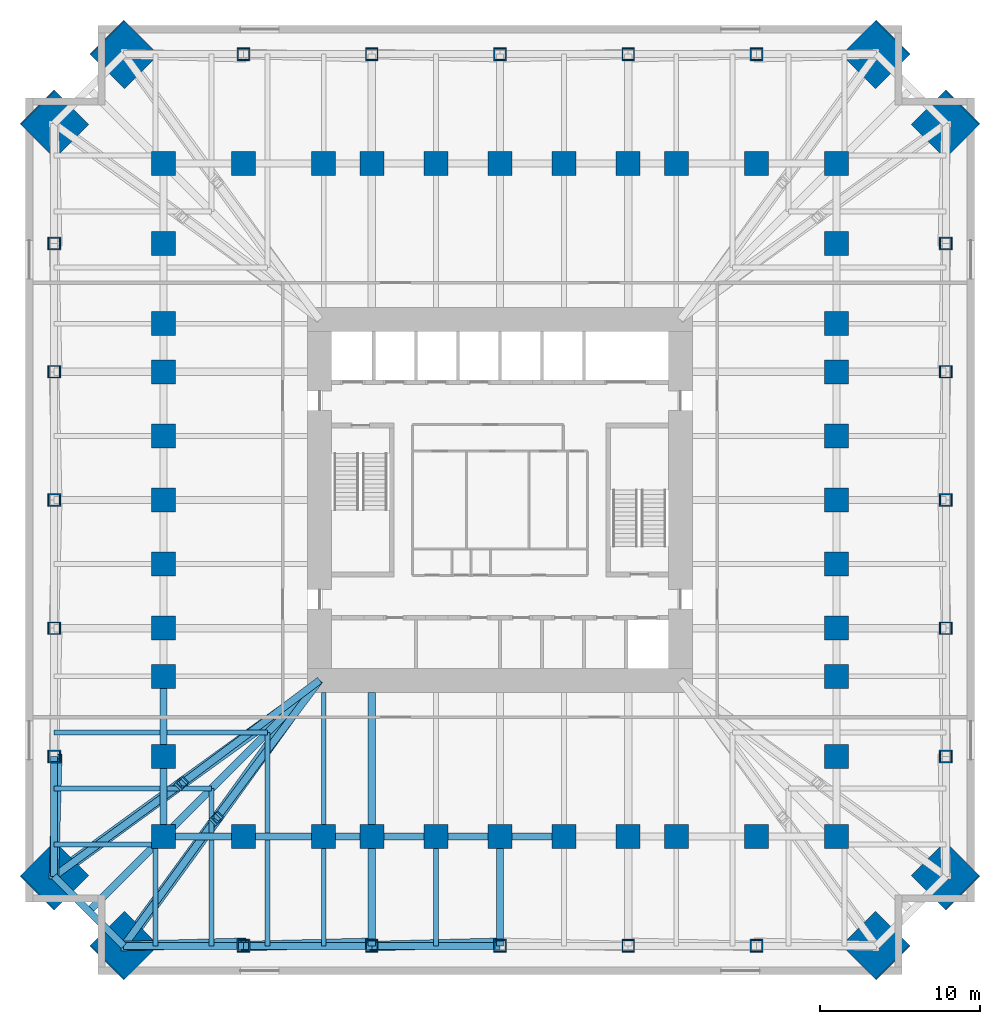
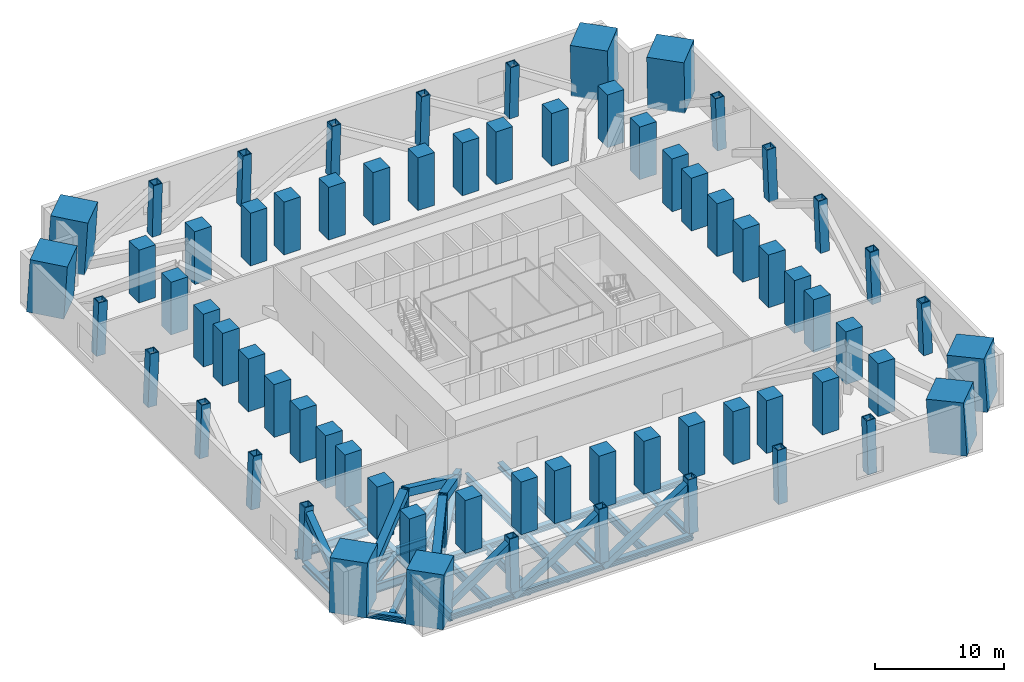
# One storey, part 1 of 9: 68 columns, 27 beams, 18 members.
"""IFC4 building model written with IfcOpenShell, lengths in metres."""

from ifc_helpers import new_model, si_unit, direction, frame, origin, origin_2d, place, context, subcontext, project, spatial, rectangle, hollow_rectangle, i_section, extrude, material, material_profile, profile_set, type_object, element, save


model = new_model("IFC4")

# Units and contexts
model_context = context("Model", 3, precision=1e-05, world=origin(), true_north=direction((0.0, 1.0)))
body_context = subcontext(model_context, "Body", "Model", "MODEL_VIEW")
ifc_project = project(units=[si_unit("LENGTHUNIT", "METRE"), si_unit("AREAUNIT", "SQUARE_METRE"), si_unit("VOLUMEUNIT", "CUBIC_METRE"), si_unit("PLANEANGLEUNIT", "RADIAN"), si_unit("MASSUNIT", "GRAM", prefix="KILO")], contexts=[model_context])

# Site, building, storey
site_placement = place(None, origin())
site = spatial("IfcSite", under=ifc_project, at=site_placement, CompositionType="ELEMENT")
building_placement = place(site_placement, origin())
building = spatial("IfcBuilding", under=site, at=building_placement, Name="Peilmerk Tower", CompositionType="ELEMENT")
storey_placement = place(building_placement, frame((0.0, 0.0, 76.0)))
storey = spatial("IfcBuildingStorey", under=building, at=storey_placement, Name="L14", CompositionType="ELEMENT", Elevation=76.0)

# Columns
ifc_material_1 = material(Name="Concrete C90/105", Category="concrete")
ifc_material_profile_1 = material_profile(ifc_material_1, rectangle(XDim=3.0, YDim=3.0, at=origin_2d()), Name="RC 3000x3000")
ifc_profile_set_1 = profile_set([ifc_material_profile_1], Name="Concrete C90/105")
column_type_1 = type_object("IfcColumnType", Name="MC1 3000x3000 encased mega column", PredefinedType="COLUMN", material=ifc_profile_set_1)
for number, where, z_axis, x_axis, name in (
    (1, (23.482177734375, 27.832275390625, 0.0), (-0.04021791389, -0.040266662877, 0.998379244207), (0.707534941396, -0.706678361564, 0.0), "Mega column MC1 NE_N L14"),
    (2, (27.832275390625, 23.482177734375, 0.0), (-0.040266662877, -0.04021791389, 0.998379244207), (0.706678361564, -0.707534941396, 0.0), "Mega column MC1 NE_E L14"),
    (3, (27.832275390625, -23.482177734375, 0.0), (-0.040266662877, 0.04021791389, 0.998379244207), (-0.706678361564, -0.707534941396, 0.0), "Mega column MC1 SE_E L14"),
    (4, (23.482177734375, -27.832275390625, 0.0), (-0.04021791389, 0.040266662877, 0.998379244207), (-0.707534941396, -0.706678361564, 0.0), "Mega column MC1 SE_S L14"),
    (5, (-23.482177734375, -27.832275390625, 0.0), (0.04021791389, 0.040266662877, 0.998379244207), (-0.707534941396, 0.706678361564, 0.0), "Mega column MC1 SW_S L14"),
    (6, (-27.832275390625, -23.482177734375, 0.0), (0.040266662877, 0.04021791389, 0.998379244207), (-0.706678361564, 0.707534941396, 0.0), "Mega column MC1 SW_W L14"),
    (7, (-27.832275390625, 23.482177734375, 0.0), (0.040266662877, -0.04021791389, 0.998379244207), (0.706678361564, 0.707534941396, 0.0), "Mega column MC1 NW_W L14"),
    (8, (-23.482177734375, 27.832275390625, 0.0), (0.04021791389, -0.040266662877, 0.998379244207), (0.707534941396, 0.706678361564, 0.0), "Mega column MC1 NW_N L14"),
):
    element("IfcColumn", number, at=place(storey_placement, frame(where, z_axis=z_axis, x_axis=x_axis)), inside=storey, type_object=column_type_1, Name=name, PredefinedType="COLUMN", context=body_context, shape_type="SweptSolid", body=[
        extrude(rectangle(XDim=3.0, YDim=3.0, at=origin_2d()), origin(), (0.0, 0.0, 1.0), 5.008056640625),
    ])
ifc_material_profile_2 = material_profile(ifc_material_1, rectangle(XDim=1.5, YDim=1.5, at=origin_2d()), Name="RC 1500x1500")
ifc_profile_set_2 = profile_set([ifc_material_profile_2], Name="Concrete C90/105")
column_type_2 = type_object("IfcColumnType", Name="SC4 1500x1500 encased interior column", PredefinedType="COLUMN", material=ifc_profile_set_2)
for number, where, z_axis, x_axis, name in (
    (9, (0.0, 21.0, 0.0), (0.0, 0.0, 1.0), (1.0, 0.0, 0.0), "Interior column N+0 L14"),
    (10, (4.0, 21.0, 0.0), (0.0, 0.0, 1.0), (1.0, 0.0, 0.0), "Interior column N-4 L14"),
    (11, (-4.0, 21.0, 0.0), (0.0, 0.0, 1.0), (1.0, 0.0, 0.0), "Interior column N+4 L14"),
    (12, (8.0, 21.0, 0.0), (0.0, 0.0, 1.0), (1.0, 0.0, 0.0), "Interior column N-8 L14"),
    (13, (-8.0, 21.0, 0.0), (0.0, 0.0, 1.0), (1.0, 0.0, 0.0), "Interior column N+8 L14"),
    (14, (11.0, 21.0, 0.0), (0.0, 0.0, 1.0), (1.0, 0.0, 0.0), "Interior column N-11 L14"),
    (15, (-11.0, 21.0, 0.0), (0.0, 0.0, 1.0), (1.0, 0.0, 0.0), "Interior column N+11 L14"),
    (16, (16.0, 21.0, 0.0), (0.0, 0.0, 1.0), (1.0, 0.0, 0.0), "Interior column N-16 L14"),
    (17, (-16.0, 21.0, 0.0), (0.0, 0.0, 1.0), (1.0, 0.0, 0.0), "Interior column N+16 L14"),
    (18, (21.0, 0.0, 0.0), (0.0, 0.0, 1.0), (1.0, 0.0, 0.0), "Interior column E+0 L14"),
    (19, (21.0, -4.0, 0.0), (0.0, 0.0, 1.0), (1.0, 0.0, 0.0), "Interior column E-4 L14"),
    (20, (21.0, 4.0, 0.0), (0.0, 0.0, 1.0), (1.0, 0.0, 0.0), "Interior column E+4 L14"),
    (21, (21.0, -8.0, 0.0), (0.0, 0.0, 1.0), (1.0, 0.0, 0.0), "Interior column E-8 L14"),
    (22, (21.0, 8.0, 0.0), (0.0, 0.0, 1.0), (1.0, 0.0, 0.0), "Interior column E+8 L14"),
    (23, (21.0, -11.0, 0.0), (0.0, 0.0, 1.0), (1.0, 0.0, 0.0), "Interior column E-11 L14"),
    (24, (21.0, 11.0, 0.0), (0.0, 0.0, 1.0), (1.0, 0.0, 0.0), "Interior column E+11 L14"),
    (25, (21.0, -16.0, 0.0), (0.0, 0.0, 1.0), (1.0, 0.0, 0.0), "Interior column E-16 L14"),
    (26, (21.0, 16.0, 0.0), (0.0, 0.0, 1.0), (1.0, 0.0, 0.0), "Interior column E+16 L14"),
    (27, (0.0, -21.0, 0.0), (0.0, 0.0, 1.0), (1.0, 0.0, 0.0), "Interior column S+0 L14"),
    (28, (-4.0, -21.0, 0.0), (0.0, 0.0, 1.0), (1.0, 0.0, 0.0), "Interior column S-4 L14"),
    (29, (4.0, -21.0, 0.0), (0.0, 0.0, 1.0), (1.0, 0.0, 0.0), "Interior column S+4 L14"),
    (30, (-8.0, -21.0, 0.0), (0.0, 0.0, 1.0), (1.0, 0.0, 0.0), "Interior column S-8 L14"),
    (31, (8.0, -21.0, 0.0), (0.0, 0.0, 1.0), (1.0, 0.0, 0.0), "Interior column S+8 L14"),
    (32, (-11.0, -21.0, 0.0), (0.0, 0.0, 1.0), (1.0, 0.0, 0.0), "Interior column S-11 L14"),
    (33, (11.0, -21.0, 0.0), (0.0, 0.0, 1.0), (1.0, 0.0, 0.0), "Interior column S+11 L14"),
    (34, (-16.0, -21.0, 0.0), (0.0, 0.0, 1.0), (1.0, 0.0, 0.0), "Interior column S-16 L14"),
    (35, (16.0, -21.0, 0.0), (0.0, 0.0, 1.0), (1.0, 0.0, 0.0), "Interior column S+16 L14"),
    (36, (-21.0, 0.0, 0.0), (0.0, 0.0, 1.0), (1.0, 0.0, 0.0), "Interior column W+0 L14"),
    (37, (-21.0, 4.0, 0.0), (0.0, 0.0, 1.0), (1.0, 0.0, 0.0), "Interior column W-4 L14"),
    (38, (-21.0, -4.0, 0.0), (0.0, 0.0, 1.0), (1.0, 0.0, 0.0), "Interior column W+4 L14"),
    (39, (-21.0, 8.0, 0.0), (0.0, 0.0, 1.0), (1.0, 0.0, 0.0), "Interior column W-8 L14"),
    (40, (-21.0, -8.0, 0.0), (0.0, 0.0, 1.0), (1.0, 0.0, 0.0), "Interior column W+8 L14"),
    (41, (-21.0, 11.0, 0.0), (0.0, 0.0, 1.0), (1.0, 0.0, 0.0), "Interior column W-11 L14"),
    (42, (-21.0, -11.0, 0.0), (0.0, 0.0, 1.0), (1.0, 0.0, 0.0), "Interior column W+11 L14"),
    (43, (-21.0, 16.0, 0.0), (0.0, 0.0, 1.0), (1.0, 0.0, 0.0), "Interior column W-16 L14"),
    (44, (-21.0, -16.0, 0.0), (0.0, 0.0, 1.0), (1.0, 0.0, 0.0), "Interior column W+16 L14"),
    (45, (21.0, 21.0, 0.0), (0.0, 0.0, 1.0), (1.0, 0.0, 0.0), "Interior column NE L14"),
    (46, (21.0, -21.0, 0.0), (0.0, 0.0, 1.0), (1.0, 0.0, 0.0), "Interior column SE L14"),
    (47, (-21.0, -21.0, 0.0), (0.0, 0.0, 1.0), (1.0, 0.0, 0.0), "Interior column SW L14"),
    (48, (-21.0, 21.0, 0.0), (0.0, 0.0, 1.0), (1.0, 0.0, 0.0), "Interior column NW L14"),
):
    element("IfcColumn", number, at=place(storey_placement, frame(where, z_axis=z_axis, x_axis=x_axis)), inside=storey, type_object=column_type_2, Name=name, PredefinedType="COLUMN", context=body_context, shape_type="SweptSolid", body=[
        extrude(rectangle(XDim=1.5, YDim=1.5, at=origin_2d()), origin(), (0.0, 0.0, 1.0), 5.0),
    ])
ifc_material_2 = material(Name="Steel S460", Category="steel")
ifc_material_profile_3 = material_profile(ifc_material_2, hollow_rectangle(XDim=0.800048828125, YDim=0.800048828125, WallThickness=0.080078125, at=origin_2d()), Name="BOX 800x800x80")
ifc_profile_set_3 = profile_set([ifc_material_profile_3], Name="Steel S460")
column_type_3 = type_object("IfcColumnType", Name="SC8 BOX 800x800x80 belt truss vertical", PredefinedType="COLUMN", material=ifc_profile_set_3)
for number, where, z_axis, x_axis, name in (
    (49, (16.0, 27.832275390625, 0.0), (0.0, -0.040299267708, 0.999187654559), (1.0, 0.0, 0.0), "Belt truss vertical T1 N"),
    (50, (8.0, 27.832275390625, 0.0), (0.0, -0.040299267708, 0.999187654559), (1.0, 0.0, 0.0), "Belt truss vertical T1 N"),
    (51, (0.0, 27.832275390625, 0.0), (0.0, -0.040299267708, 0.999187654559), (1.0, 0.0, 0.0), "Belt truss vertical T1 N"),
    (52, (-8.0, 27.832275390625, 0.0), (0.0, -0.040299267708, 0.999187654559), (1.0, 0.0, 0.0), "Belt truss vertical T1 N"),
    (53, (-16.0, 27.832275390625, 0.0), (0.0, -0.040299267708, 0.999187654559), (1.0, 0.0, 0.0), "Belt truss vertical T1 N"),
    (54, (27.832275390625, -16.0, 0.0), (-0.040299267708, 0.0, 0.999187654559), (0.0, -1.0, 0.0), "Belt truss vertical T1 E"),
    (55, (27.832275390625, -8.0, 0.0), (-0.040299267708, 0.0, 0.999187654559), (0.0, -1.0, 0.0), "Belt truss vertical T1 E"),
    (56, (27.832275390625, 0.0, 0.0), (-0.040299267708, 0.0, 0.999187654559), (0.0, -1.0, 0.0), "Belt truss vertical T1 E"),
    (57, (27.832275390625, 8.0, 0.0), (-0.040299267708, 0.0, 0.999187654559), (0.0, -1.0, 0.0), "Belt truss vertical T1 E"),
    (58, (27.832275390625, 16.0, 0.0), (-0.040299267708, 0.0, 0.999187654559), (0.0, -1.0, 0.0), "Belt truss vertical T1 E"),
    (59, (-16.0, -27.832275390625, 0.0), (0.0, 0.040299267708, 0.999187654559), (-1.0, 0.0, 0.0), "Belt truss vertical T1 S"),
    (60, (-8.0, -27.832275390625, 0.0), (0.0, 0.040299267708, 0.999187654559), (-1.0, 0.0, 0.0), "Belt truss vertical T1 S"),
    (61, (0.0, -27.832275390625, 0.0), (0.0, 0.040299267708, 0.999187654559), (-1.0, 0.0, 0.0), "Belt truss vertical T1 S"),
    (62, (8.0, -27.832275390625, 0.0), (0.0, 0.040299267708, 0.999187654559), (-1.0, 0.0, 0.0), "Belt truss vertical T1 S"),
    (63, (16.0, -27.832275390625, 0.0), (0.0, 0.040299267708, 0.999187654559), (-1.0, 0.0, 0.0), "Belt truss vertical T1 S"),
    (64, (-27.832275390625, 16.0, 0.0), (0.040299267708, 0.0, 0.999187654559), (0.0, 1.0, 0.0), "Belt truss vertical T1 W"),
    (65, (-27.832275390625, 8.0, 0.0), (0.040299267708, 0.0, 0.999187654559), (0.0, 1.0, 0.0), "Belt truss vertical T1 W"),
    (66, (-27.832275390625, 0.0, 0.0), (0.040299267708, 0.0, 0.999187654559), (0.0, 1.0, 0.0), "Belt truss vertical T1 W"),
    (67, (-27.832275390625, -8.0, 0.0), (0.040299267708, 0.0, 0.999187654559), (0.0, 1.0, 0.0), "Belt truss vertical T1 W"),
    (68, (-27.832275390625, -16.0, 0.0), (0.040299267708, 0.0, 0.999187654559), (0.0, 1.0, 0.0), "Belt truss vertical T1 W"),
):
    element("IfcColumn", number, at=place(storey_placement, frame(where, z_axis=z_axis, x_axis=x_axis)), inside=storey, type_object=column_type_3, Name=name, PredefinedType="COLUMN", context=body_context, shape_type="SweptSolid", body=[
        extrude(hollow_rectangle(XDim=0.800048828125, YDim=0.800048828125, WallThickness=0.080078125, at=origin_2d()), origin(), (0.0, 0.0, 1.0), 5.004150390625),
    ])

# Beams
ifc_material_profile_4 = material_profile(ifc_material_2, i_section(OverallWidth=0.4541015625, OverallDepth=0.569091796875, WebThickness=0.077880859375, FlangeThickness=0.125, at=origin_2d()), Name="HD 400x1086")
ifc_profile_set_4 = profile_set([ifc_material_profile_4], Name="Steel S460")
beam_type_1 = type_object("IfcBeamType", Name="B17 HD 400x1086 edge beam", PredefinedType="SPANDREL", material=ifc_profile_set_4)
beam_1_placement = place(storey_placement, frame((-23.482177734375, -27.832275390625, -0.534423828125), z_axis=(-0.707106781187, 0.707106781187, 0.0), x_axis=(-0.707106781187, -0.707106781187, 0.0)))
element("IfcBeam", 69, at=beam_1_placement, inside=storey, type_object=beam_type_1, Name="Notch beam L14", PredefinedType="SPANDREL", context=body_context, shape_type="SweptSolid", body=[
    extrude(i_section(OverallWidth=0.4541015625, OverallDepth=0.569091796875, WebThickness=0.077880859375, FlangeThickness=0.125, at=origin_2d()), origin(), (0.0, 0.0, 1.0), 6.15185546875),
])
ifc_material_profile_5 = material_profile(ifc_material_2, i_section(OverallWidth=0.302978515625, OverallDepth=0.81396484375, WebThickness=0.02099609375, FlangeThickness=0.0400390625, at=origin_2d()), Name="HEM 800")
ifc_profile_set_5 = profile_set([ifc_material_profile_5], Name="Steel S460")
beam_type_2 = type_object("IfcBeamType", Name="B26 HEM 800 floor beam", PredefinedType="BEAM", material=ifc_profile_set_5)
beam_2_placement = place(storey_placement, frame((-11.0, -12.0, -0.656982421875), z_axis=(0.0, -1.0, 0.0), x_axis=(1.0, 0.0, 0.0)))
element("IfcBeam", 70, at=beam_2_placement, inside=storey, type_object=beam_type_2, Name="Floor beam L14", PredefinedType="BEAM", context=body_context, shape_type="SweptSolid", body=[
    extrude(i_section(OverallWidth=0.302978515625, OverallDepth=0.81396484375, WebThickness=0.02099609375, FlangeThickness=0.0400390625, at=origin_2d()), origin(), (0.0, 0.0, 1.0), 9.0),
])
for number, where, z_axis, x_axis, name in (
    (71, (-11.0, -21.0, -0.656982421875), (0.0, -1.0, 0.0), (1.0, 0.0, 0.0), "Floor beam L14"),
    (72, (-4.0, -21.0, -0.656982421875), (0.0, -1.0, 0.0), (1.0, 0.0, 0.0), "Floor beam L14"),
):
    element("IfcBeam", number, at=place(storey_placement, frame(where, z_axis=z_axis, x_axis=x_axis)), inside=storey, type_object=beam_type_2, Name=name, PredefinedType="BEAM", context=body_context, shape_type="SweptSolid", body=[
        extrude(i_section(OverallWidth=0.302978515625, OverallDepth=0.81396484375, WebThickness=0.02099609375, FlangeThickness=0.0400390625, at=origin_2d()), origin(), (0.0, 0.0, 1.0), 6.832275390625),
    ])
beam_3_placement = place(storey_placement, frame((-14.5, -14.5, -0.656982421875), z_axis=(0.0, -1.0, 0.0), x_axis=(1.0, 0.0, 0.0)))
element("IfcBeam", 73, at=beam_3_placement, inside=storey, type_object=beam_type_2, Name="Floor beam L14", PredefinedType="BEAM", context=body_context, shape_type="SweptSolid", body=[
    extrude(i_section(OverallWidth=0.302978515625, OverallDepth=0.81396484375, WebThickness=0.02099609375, FlangeThickness=0.0400390625, at=origin_2d()), origin(), (0.0, 0.0, 1.0), 6.27294921875),
])
beam_4_placement = place(storey_placement, frame((-14.5, -21.22705078125, -0.656982421875), z_axis=(0.0, -1.0, 0.0), x_axis=(1.0, 0.0, 0.0)))
element("IfcBeam", 74, at=beam_4_placement, inside=storey, type_object=beam_type_2, Name="Floor beam L14", PredefinedType="BEAM", context=body_context, shape_type="SweptSolid", body=[
    extrude(i_section(OverallWidth=0.302978515625, OverallDepth=0.81396484375, WebThickness=0.02099609375, FlangeThickness=0.0400390625, at=origin_2d()), origin(), (0.0, 0.0, 1.0), 6.605224609375),
])
beam_5_placement = place(storey_placement, frame((-14.5, -14.5, -0.656982421875), z_axis=(-1.0, 0.0, 0.0), x_axis=(0.0, -1.0, 0.0)))
element("IfcBeam", 75, at=beam_5_placement, inside=storey, type_object=beam_type_2, Name="Floor beam L14", PredefinedType="BEAM", context=body_context, shape_type="SweptSolid", body=[
    extrude(i_section(OverallWidth=0.302978515625, OverallDepth=0.81396484375, WebThickness=0.02099609375, FlangeThickness=0.0400390625, at=origin_2d()), origin(), (0.0, 0.0, 1.0), 6.27294921875),
])
beam_6_placement = place(storey_placement, frame((-21.22705078125, -14.5, -0.656982421875), z_axis=(-1.0, 0.0, 0.0), x_axis=(0.0, -1.0, 0.0)))
element("IfcBeam", 76, at=beam_6_placement, inside=storey, type_object=beam_type_2, Name="Floor beam L14", PredefinedType="BEAM", context=body_context, shape_type="SweptSolid", body=[
    extrude(i_section(OverallWidth=0.302978515625, OverallDepth=0.81396484375, WebThickness=0.02099609375, FlangeThickness=0.0400390625, at=origin_2d()), origin(), (0.0, 0.0, 1.0), 6.605224609375),
])
beam_7_placement = place(storey_placement, frame((-18.0, -18.0, -0.656982421875), z_axis=(0.0, -1.0, 0.0), x_axis=(1.0, 0.0, 0.0)))
element("IfcBeam", 77, at=beam_7_placement, inside=storey, type_object=beam_type_2, Name="Floor beam L14", PredefinedType="BEAM", context=body_context, shape_type="SweptSolid", body=[
    extrude(i_section(OverallWidth=0.302978515625, OverallDepth=0.81396484375, WebThickness=0.02099609375, FlangeThickness=0.0400390625, at=origin_2d()), origin(), (0.0, 0.0, 1.0), 2.77294921875),
])
beam_8_placement = place(storey_placement, frame((-18.0, -21.22705078125, -0.656982421875), z_axis=(0.0, -1.0, 0.0), x_axis=(1.0, 0.0, 0.0)))
element("IfcBeam", 78, at=beam_8_placement, inside=storey, type_object=beam_type_2, Name="Floor beam L14", PredefinedType="BEAM", context=body_context, shape_type="SweptSolid", body=[
    extrude(i_section(OverallWidth=0.302978515625, OverallDepth=0.81396484375, WebThickness=0.02099609375, FlangeThickness=0.0400390625, at=origin_2d()), origin(), (0.0, 0.0, 1.0), 6.605224609375),
])
beam_9_placement = place(storey_placement, frame((-18.0, -18.0, -0.656982421875), z_axis=(-1.0, 0.0, 0.0), x_axis=(0.0, -1.0, 0.0)))
element("IfcBeam", 79, at=beam_9_placement, inside=storey, type_object=beam_type_2, Name="Floor beam L14", PredefinedType="BEAM", context=body_context, shape_type="SweptSolid", body=[
    extrude(i_section(OverallWidth=0.302978515625, OverallDepth=0.81396484375, WebThickness=0.02099609375, FlangeThickness=0.0400390625, at=origin_2d()), origin(), (0.0, 0.0, 1.0), 2.77294921875),
])
beam_10_placement = place(storey_placement, frame((-21.22705078125, -18.0, -0.656982421875), z_axis=(-1.0, 0.0, 0.0), x_axis=(0.0, -1.0, 0.0)))
element("IfcBeam", 80, at=beam_10_placement, inside=storey, type_object=beam_type_2, Name="Floor beam L14", PredefinedType="BEAM", context=body_context, shape_type="SweptSolid", body=[
    extrude(i_section(OverallWidth=0.302978515625, OverallDepth=0.81396484375, WebThickness=0.02099609375, FlangeThickness=0.0400390625, at=origin_2d()), origin(), (0.0, 0.0, 1.0), 6.605224609375),
])
for number, where, z_axis, x_axis, name in (
    (81, (-21.5, -21.5, -0.656982421875), (0.0, -1.0, 0.0), (1.0, 0.0, 0.0), "Floor beam L14"),
    (82, (-21.5, -21.5, -0.656982421875), (-1.0, 0.0, 0.0), (0.0, -1.0, 0.0), "Floor beam L14"),
):
    element("IfcBeam", number, at=place(storey_placement, frame(where, z_axis=z_axis, x_axis=x_axis)), inside=storey, type_object=beam_type_2, Name=name, PredefinedType="BEAM", context=body_context, shape_type="SweptSolid", body=[
        extrude(i_section(OverallWidth=0.302978515625, OverallDepth=0.81396484375, WebThickness=0.02099609375, FlangeThickness=0.0400390625, at=origin_2d()), origin(), (0.0, 0.0, 1.0), 6.332275390625),
    ])
ifc_material_profile_6 = material_profile(ifc_material_2, i_section(OverallWidth=0.4541015625, OverallDepth=0.569091796875, WebThickness=0.077880859375, FlangeThickness=0.125, at=origin_2d()), Name="HD 400x1086")
ifc_profile_set_6 = profile_set([ifc_material_profile_6], Name="Steel S460")
beam_type_3 = type_object("IfcBeamType", Name="B9 HD 400x1086 corner girder", PredefinedType="BEAM", material=ifc_profile_set_6)
beam_11_placement = place(storey_placement, frame((-8.0, -12.0, -0.534423828125), z_axis=(0.0, -1.0, 0.0), x_axis=(1.0, 0.0, 0.0)))
element("IfcBeam", 83, at=beam_11_placement, inside=storey, type_object=beam_type_3, Name="Floor girder L14", PredefinedType="BEAM", context=body_context, shape_type="SweptSolid", body=[
    extrude(i_section(OverallWidth=0.4541015625, OverallDepth=0.569091796875, WebThickness=0.077880859375, FlangeThickness=0.125, at=origin_2d()), origin(), (0.0, 0.0, 1.0), 9.0),
])
for number, where, z_axis, x_axis, name in (
    (84, (-8.0, -21.0, -0.534423828125), (0.0, -1.0, 0.0), (1.0, 0.0, 0.0), "Floor girder L14"),
    (85, (0.0, -21.0, -0.534423828125), (0.0, -1.0, 0.0), (1.0, 0.0, 0.0), "Floor girder L14"),
):
    element("IfcBeam", number, at=place(storey_placement, frame(where, z_axis=z_axis, x_axis=x_axis)), inside=storey, type_object=beam_type_3, Name=name, PredefinedType="BEAM", context=body_context, shape_type="SweptSolid", body=[
        extrude(i_section(OverallWidth=0.4541015625, OverallDepth=0.569091796875, WebThickness=0.077880859375, FlangeThickness=0.125, at=origin_2d()), origin(), (0.0, 0.0, 1.0), 6.832275390625),
    ])
for number, where, z_axis, x_axis, name in (
    (86, (-21.0, -21.0, -0.534423828125), (1.0, 0.0, 0.0), (0.0, 1.0, 0.0), "Ring girder L14"),
    (87, (-16.0, -21.0, -0.534423828125), (1.0, 0.0, 0.0), (0.0, 1.0, 0.0), "Ring girder L14"),
):
    element("IfcBeam", number, at=place(storey_placement, frame(where, z_axis=z_axis, x_axis=x_axis)), inside=storey, type_object=beam_type_3, Name=name, PredefinedType="BEAM", context=body_context, shape_type="SweptSolid", body=[
        extrude(i_section(OverallWidth=0.4541015625, OverallDepth=0.569091796875, WebThickness=0.077880859375, FlangeThickness=0.125, at=origin_2d()), origin(), (0.0, 0.0, 1.0), 5.0),
    ])
beam_12_placement = place(storey_placement, frame((-11.0, -21.0, -0.534423828125), z_axis=(1.0, 0.0, 0.0), x_axis=(0.0, 1.0, 0.0)))
element("IfcBeam", 88, at=beam_12_placement, inside=storey, type_object=beam_type_3, Name="Ring girder L14", PredefinedType="BEAM", context=body_context, shape_type="SweptSolid", body=[
    extrude(i_section(OverallWidth=0.4541015625, OverallDepth=0.569091796875, WebThickness=0.077880859375, FlangeThickness=0.125, at=origin_2d()), origin(), (0.0, 0.0, 1.0), 3.0),
])
for number, where, z_axis, x_axis, name in (
    (89, (-8.0, -21.0, -0.534423828125), (1.0, 0.0, 0.0), (0.0, 1.0, 0.0), "Ring girder L14"),
    (90, (-4.0, -21.0, -0.534423828125), (1.0, 0.0, 0.0), (0.0, 1.0, 0.0), "Ring girder L14"),
    (91, (0.0, -21.0, -0.534423828125), (1.0, 0.0, 0.0), (0.0, 1.0, 0.0), "Ring girder L14"),
):
    element("IfcBeam", number, at=place(storey_placement, frame(where, z_axis=z_axis, x_axis=x_axis)), inside=storey, type_object=beam_type_3, Name=name, PredefinedType="BEAM", context=body_context, shape_type="SweptSolid", body=[
        extrude(i_section(OverallWidth=0.4541015625, OverallDepth=0.569091796875, WebThickness=0.077880859375, FlangeThickness=0.125, at=origin_2d()), origin(), (0.0, 0.0, 1.0), 4.0),
    ])
for number, where, z_axis, x_axis, name in (
    (92, (-21.0, -11.0, -0.534423828125), (0.0, -1.0, 0.0), (1.0, 0.0, 0.0), "Ring girder L14"),
    (93, (-21.0, -16.0, -0.534423828125), (0.0, -1.0, 0.0), (1.0, 0.0, 0.0), "Ring girder L14"),
):
    element("IfcBeam", number, at=place(storey_placement, frame(where, z_axis=z_axis, x_axis=x_axis)), inside=storey, type_object=beam_type_3, Name=name, PredefinedType="BEAM", context=body_context, shape_type="SweptSolid", body=[
        extrude(i_section(OverallWidth=0.4541015625, OverallDepth=0.569091796875, WebThickness=0.077880859375, FlangeThickness=0.125, at=origin_2d()), origin(), (0.0, 0.0, 1.0), 5.0),
    ])
beam_13_placement = place(storey_placement, frame((-11.25, -11.25, -0.534423828125), z_axis=(-0.707106781187, -0.707106781187, 0.0), x_axis=(0.707106781187, -0.707106781187, 0.0)))
element("IfcBeam", 94, at=beam_13_placement, inside=storey, type_object=beam_type_3, Name="Corner girder L14", PredefinedType="BEAM", context=body_context, shape_type="SweptSolid", body=[
    extrude(i_section(OverallWidth=0.4541015625, OverallDepth=0.569091796875, WebThickness=0.077880859375, FlangeThickness=0.125, at=origin_2d()), origin(), (0.0, 0.0, 1.0), 13.78857421875),
])
beam_14_placement = place(storey_placement, frame((-21.0, -21.0, -0.534423828125), z_axis=(-0.707106781187, -0.707106781187, 0.0), x_axis=(0.707106781187, -0.707106781187, 0.0)))
element("IfcBeam", 95, at=beam_14_placement, inside=storey, type_object=beam_type_3, Name="Corner girder L14", PredefinedType="BEAM", context=body_context, shape_type="SweptSolid", body=[
    extrude(i_section(OverallWidth=0.4541015625, OverallDepth=0.569091796875, WebThickness=0.077880859375, FlangeThickness=0.125, at=origin_2d()), origin(), (0.0, 0.0, 1.0), 6.58642578125),
])

# Members
ifc_material_profile_7 = material_profile(ifc_material_2, i_section(OverallWidth=0.4541015625, OverallDepth=0.569091796875, WebThickness=0.077880859375, FlangeThickness=0.125, at=origin_2d()), Name="HD 400x1086")
ifc_profile_set_7 = profile_set([ifc_material_profile_7], Name="Steel S460")
member_type_1 = type_object("IfcMemberType", Name="M1 HD 400x1086 belt truss chord", PredefinedType="CHORD", material=ifc_profile_set_7)
member_1_placement = place(storey_placement, frame((-23.482177734375, -27.832275390625, -0.534423828125), z_axis=(1.0, 0.0, 0.0), x_axis=(0.0, 1.0, 0.0)))
element("IfcMember", 96, at=member_1_placement, inside=storey, type_object=member_type_1, Name="Belt truss chord L14", PredefinedType="CHORD", context=body_context, shape_type="SweptSolid", body=[
    extrude(i_section(OverallWidth=0.4541015625, OverallDepth=0.569091796875, WebThickness=0.077880859375, FlangeThickness=0.125, at=origin_2d()), origin(), (0.0, 0.0, 1.0), 7.482177734375),
])
for number, where, z_axis, x_axis, name in (
    (97, (-16.0, -27.832275390625, -0.534423828125), (1.0, 0.0, 0.0), (0.0, 1.0, 0.0), "Belt truss chord L14"),
    (98, (-8.0, -27.832275390625, -0.534423828125), (1.0, 0.0, 0.0), (0.0, 1.0, 0.0), "Belt truss chord L14"),
):
    element("IfcMember", number, at=place(storey_placement, frame(where, z_axis=z_axis, x_axis=x_axis)), inside=storey, type_object=member_type_1, Name=name, PredefinedType="CHORD", context=body_context, shape_type="SweptSolid", body=[
        extrude(i_section(OverallWidth=0.4541015625, OverallDepth=0.569091796875, WebThickness=0.077880859375, FlangeThickness=0.125, at=origin_2d()), origin(), (0.0, 0.0, 1.0), 8.0),
    ])
member_2_placement = place(storey_placement, frame((-27.832275390625, -16.0, -0.534423828125), z_axis=(0.0, -1.0, 0.0), x_axis=(1.0, 0.0, 0.0)))
element("IfcMember", 99, at=member_2_placement, inside=storey, type_object=member_type_1, Name="Belt truss chord L14", PredefinedType="CHORD", context=body_context, shape_type="SweptSolid", body=[
    extrude(i_section(OverallWidth=0.4541015625, OverallDepth=0.569091796875, WebThickness=0.077880859375, FlangeThickness=0.125, at=origin_2d()), origin(), (0.0, 0.0, 1.0), 7.482177734375),
])
member_3_placement = place(storey_placement, frame((-11.25, -11.25, -0.534423828125), z_axis=(-0.599509240207, -0.800367834752, 0.0), x_axis=(0.800367834752, -0.599509240207, 0.0)))
element("IfcMember", 100, at=member_3_placement, inside=storey, type_object=member_type_1, Name="Outrigger chord T1 SW", PredefinedType="CHORD", context=body_context, shape_type="SweptSolid", body=[
    extrude(i_section(OverallWidth=0.4541015625, OverallDepth=0.569091796875, WebThickness=0.077880859375, FlangeThickness=0.125, at=origin_2d()), origin(), (0.0, 0.0, 1.0), 10.82763671875),
])
member_4_placement = place(storey_placement, frame((-17.7412109375, -19.916015625, -0.534423828125), z_axis=(-0.587080072202, -0.809528868431, 0.0), x_axis=(0.809528868431, -0.587080072202, 0.0)))
element("IfcMember", 101, at=member_4_placement, inside=storey, type_object=member_type_1, Name="Outrigger chord T1 SW", PredefinedType="CHORD", context=body_context, shape_type="SweptSolid", body=[
    extrude(i_section(OverallWidth=0.4541015625, OverallDepth=0.569091796875, WebThickness=0.077880859375, FlangeThickness=0.125, at=origin_2d()), origin(), (0.0, 0.0, 1.0), 9.77880859375),
])
member_5_placement = place(storey_placement, frame((-11.25, -11.25, -0.534423828125), z_axis=(-0.800367834752, -0.599509240207, 0.0), x_axis=(0.599509240207, -0.800367834752, 0.0)))
element("IfcMember", 102, at=member_5_placement, inside=storey, type_object=member_type_1, Name="Outrigger chord T1 SW", PredefinedType="CHORD", context=body_context, shape_type="SweptSolid", body=[
    extrude(i_section(OverallWidth=0.4541015625, OverallDepth=0.569091796875, WebThickness=0.077880859375, FlangeThickness=0.125, at=origin_2d()), origin(), (0.0, 0.0, 1.0), 10.82763671875),
])
member_6_placement = place(storey_placement, frame((-19.916015625, -17.7412109375, -0.534423828125), z_axis=(-0.809528868431, -0.587080072202, 0.0), x_axis=(0.587080072202, -0.809528868431, 0.0)))
element("IfcMember", 103, at=member_6_placement, inside=storey, type_object=member_type_1, Name="Outrigger chord T1 SW", PredefinedType="CHORD", context=body_context, shape_type="SweptSolid", body=[
    extrude(i_section(OverallWidth=0.4541015625, OverallDepth=0.569091796875, WebThickness=0.077880859375, FlangeThickness=0.125, at=origin_2d()), origin(), (0.0, 0.0, 1.0), 9.77880859375),
])
ifc_material_profile_8 = material_profile(ifc_material_2, hollow_rectangle(XDim=0.60009765625, YDim=0.60009765625, WallThickness=0.06005859375, at=origin_2d()), Name="BOX 600x600x60")
ifc_profile_set_8 = profile_set([ifc_material_profile_8], Name="Steel S460")
member_type_2 = type_object("IfcMemberType", Name="M2 BOX 600x600x60 belt truss diagonal", PredefinedType="BRACE", material=ifc_profile_set_8)
member_7_placement = place(storey_placement, frame((-23.482177734375, -27.832275390625, -0.534423828125), z_axis=(0.831231738484, 0.02240341358, 0.555474467457), x_axis=(-0.026942283238, 0.999636990799, 0.0)))
element("IfcMember", 104, at=member_7_placement, inside=storey, type_object=member_type_2, Name="Belt truss diagonal T1 S", PredefinedType="BRACE", context=body_context, shape_type="SweptSolid", body=[
    extrude(hollow_rectangle(XDim=0.60009765625, YDim=0.60009765625, WallThickness=0.06005859375, at=origin_2d()), origin(), (0.0, 0.0, 1.0), 9.001220703125),
])
for number, where, z_axis, x_axis, name in (
    (105, (-16.0, -27.832275390625, -0.534423828125), (0.847804632209, 0.021371051825, 0.529877895131), (-0.025199514677, 0.999682441808, 0.0), "Belt truss diagonal T1 S"),
    (106, (-8.0, -27.832275390625, -0.534423828125), (0.847804632209, 0.021371051825, 0.529877895131), (-0.025199514677, 0.999682441808, 0.0), "Belt truss diagonal T1 S"),
):
    element("IfcMember", number, at=place(storey_placement, frame(where, z_axis=z_axis, x_axis=x_axis)), inside=storey, type_object=member_type_2, Name=name, PredefinedType="BRACE", context=body_context, shape_type="SweptSolid", body=[
        extrude(hollow_rectangle(XDim=0.60009765625, YDim=0.60009765625, WallThickness=0.06005859375, at=origin_2d()), origin(), (0.0, 0.0, 1.0), 9.43603515625),
    ])
member_8_placement = place(storey_placement, frame((-27.832275390625, -23.482177734375, -0.534423828125), z_axis=(0.02240341358, 0.831231738484, 0.555474467457), x_axis=(-0.999636990799, 0.026942283238, 0.0)))
element("IfcMember", 107, at=member_8_placement, inside=storey, type_object=member_type_2, Name="Belt truss diagonal T1 W", PredefinedType="BRACE", context=body_context, shape_type="SweptSolid", body=[
    extrude(hollow_rectangle(XDim=0.60009765625, YDim=0.60009765625, WallThickness=0.06005859375, at=origin_2d()), origin(), (0.0, 0.0, 1.0), 9.001220703125),
])
ifc_material_profile_9 = material_profile(ifc_material_2, hollow_rectangle(XDim=0.60009765625, YDim=0.60009765625, WallThickness=0.06005859375, at=origin_2d()), Name="BOX 600x600x60")
ifc_profile_set_9 = profile_set([ifc_material_profile_9], Name="Steel S460")
member_type_3 = type_object("IfcMemberType", Name="M3 BOX 600x600x60 outrigger post", PredefinedType="POST", material=ifc_profile_set_9)
for number, where, z_axis, x_axis, name in (
    (108, (-17.7412109375, -19.916015625, -0.534423828125), (0.020157839556, 0.020109031228, 0.999594561994), (-0.706249163234, 0.707963360232, 0.0), "Outrigger post T1 SW"),
    (109, (-19.916015625, -17.7412109375, -0.534423828125), (0.020109031228, 0.020157839556, 0.999594561994), (-0.707963360232, 0.706249163234, 0.0), "Outrigger post T1 SW"),
):
    element("IfcMember", number, at=place(storey_placement, frame(where, z_axis=z_axis, x_axis=x_axis)), inside=storey, type_object=member_type_3, Name=name, PredefinedType="POST", context=body_context, shape_type="SweptSolid", body=[
        extrude(hollow_rectangle(XDim=0.60009765625, YDim=0.60009765625, WallThickness=0.06005859375, at=origin_2d()), origin(), (0.0, 0.0, 1.0), 5.001953125),
    ])
ifc_material_profile_10 = material_profile(ifc_material_2, hollow_rectangle(XDim=0.699951171875, YDim=0.699951171875, WallThickness=0.080078125, at=origin_2d()), Name="BOX 700x700x80")
ifc_profile_set_10 = profile_set([ifc_material_profile_10], Name="Steel S460")
member_type_4 = type_object("IfcMemberType", Name="M4 BOX 700x700x80 outrigger diagonal", PredefinedType="BRACE", material=ifc_profile_set_10)
member_9_placement = place(storey_placement, frame((-12.0, -12.0, -0.534423828125), z_axis=(-0.519470675287, -0.719789432424, 0.460492552044), x_axis=(0.810880899672, -0.585211215329, 0.0)))
element("IfcMember", 110, at=member_9_placement, inside=storey, type_object=member_type_4, Name="Outrigger diagonal T1", PredefinedType="BRACE", context=body_context, shape_type="SweptSolid", body=[
    extrude(hollow_rectangle(XDim=0.699951171875, YDim=0.699951171875, WallThickness=0.080078125, at=origin_2d()), origin(), (0.0, 0.0, 1.0), 10.85791015625),
])
member_10_placement = place(storey_placement, frame((-23.482177734375, -27.832275390625, -0.534423828125), z_axis=(0.52589034448, 0.721692629626, 0.450110090896), x_axis=(-0.808190809799, 0.588920720434, 0.0)))
element("IfcMember", 111, at=member_10_placement, inside=storey, type_object=member_type_4, Name="Outrigger diagonal T1", PredefinedType="BRACE", context=body_context, shape_type="SweptSolid", body=[
    extrude(hollow_rectangle(XDim=0.699951171875, YDim=0.699951171875, WallThickness=0.080078125, at=origin_2d()), origin(), (0.0, 0.0, 1.0), 11.1083984375),
])
member_11_placement = place(storey_placement, frame((-12.0, -12.0, -0.534423828125), z_axis=(-0.719789432424, -0.519470675287, 0.460492552044), x_axis=(0.585211215329, -0.810880899672, 0.0)))
element("IfcMember", 112, at=member_11_placement, inside=storey, type_object=member_type_4, Name="Outrigger diagonal T1", PredefinedType="BRACE", context=body_context, shape_type="SweptSolid", body=[
    extrude(hollow_rectangle(XDim=0.699951171875, YDim=0.699951171875, WallThickness=0.080078125, at=origin_2d()), origin(), (0.0, 0.0, 1.0), 10.85791015625),
])
member_12_placement = place(storey_placement, frame((-27.832275390625, -23.482177734375, -0.534423828125), z_axis=(0.721692629626, 0.52589034448, 0.450110090896), x_axis=(-0.588920720434, 0.808190809799, 0.0)))
element("IfcMember", 113, at=member_12_placement, inside=storey, type_object=member_type_4, Name="Outrigger diagonal T1", PredefinedType="BRACE", context=body_context, shape_type="SweptSolid", body=[
    extrude(hollow_rectangle(XDim=0.699951171875, YDim=0.699951171875, WallThickness=0.080078125, at=origin_2d()), origin(), (0.0, 0.0, 1.0), 11.1083984375),
])

save(model, "model.ifc")
